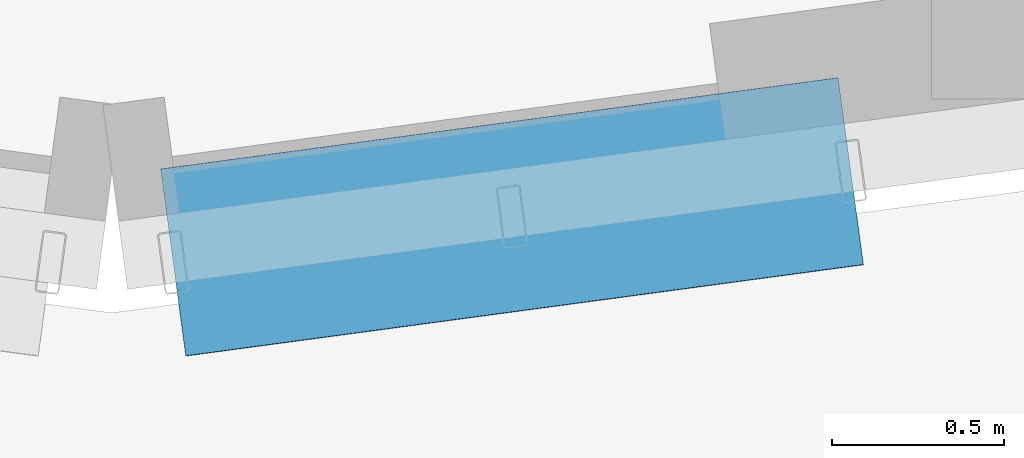
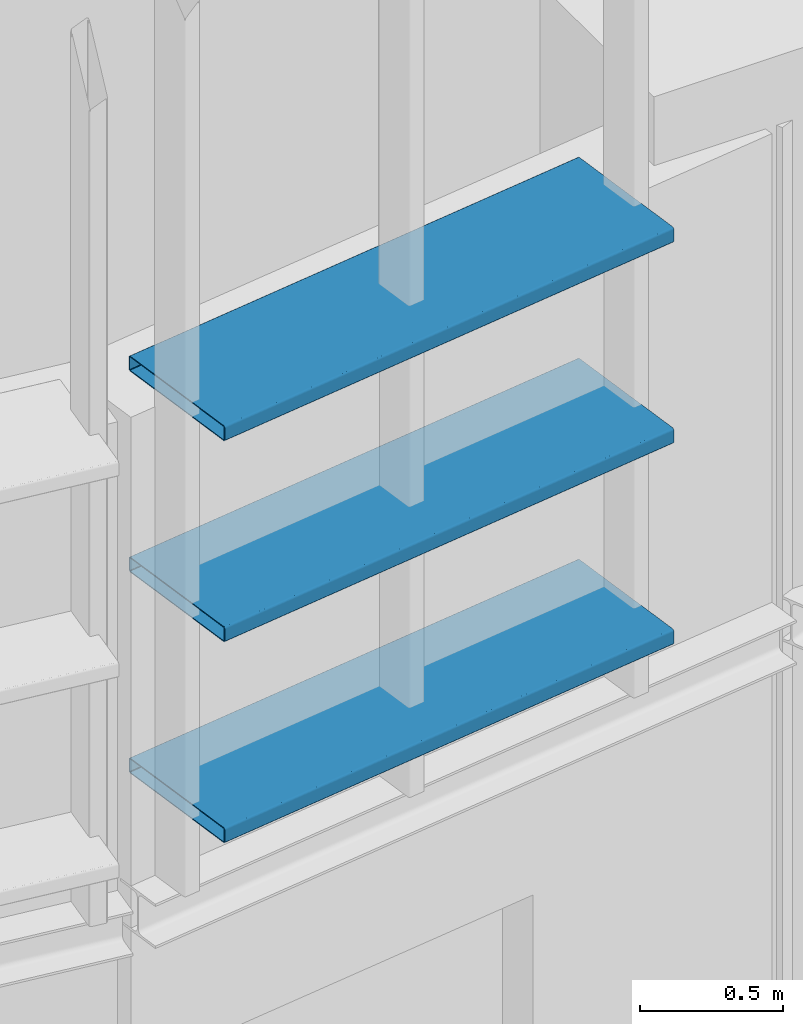
# One storey, part 39 of 372: 3 members.
"""IFC4 building model written with IfcOpenShell, lengths in metres."""

from ifc_helpers import new_model, si_unit, direction, frame, origin, origin_2d, place, context, subcontext, project, spatial, hollow_rectangle, extrude, material, material_profile, profile_set, type_object, element, save


model = new_model("IFC4")

# Units and contexts
model_context = context("Model", 3, precision=1e-05, world=origin(), true_north=direction((0.0, 1.0)))
body_context = subcontext(model_context, "Body", "Model", "MODEL_VIEW")
ifc_project = project(units=[si_unit("LENGTHUNIT", "METRE"), si_unit("AREAUNIT", "SQUARE_METRE"), si_unit("VOLUMEUNIT", "CUBIC_METRE"), si_unit("PLANEANGLEUNIT", "RADIAN"), si_unit("MASSUNIT", "GRAM", prefix="KILO")], contexts=[model_context])

# Site, building, storey
site_placement = place(None, origin())
site = spatial("IfcSite", under=ifc_project, at=site_placement, CompositionType="ELEMENT")
building_placement = place(site_placement, origin())
building = spatial("IfcBuilding", under=site, at=building_placement, Name="Kaelora Sail Theatre", CompositionType="ELEMENT")
storey_placement = place(building_placement, origin())
storey = spatial("IfcBuildingStorey", under=building, at=storey_placement, Name="L00", CompositionType="ELEMENT", Elevation=0.0)

# Members
ifc_material = material(Name="Anodised aluminium 6063-T6", Category="aluminium")
ifc_material_profile = material_profile(ifc_material, hollow_rectangle(XDim=0.550048828125, YDim=0.06494140625, WallThickness=0.00390625, InnerFilletRadius=0.00390625, OuterFilletRadius=0.008056640625, at=origin_2d()), Name="LOUVRE 550x65x4")
ifc_profile_set = profile_set([ifc_material_profile], Name="Anodised aluminium 6063-T6")
member_type = type_object("IfcMemberType", Name="ARC-MEM-LVR-300", PredefinedType="USERDEFINED", material=ifc_profile_set)
for number, where, z_axis, x_axis, name in (
    (1, (44.1484375, 23.82666015625, 3.449951171875), (-0.991052229698, -0.133474634331, 0.0), (0.133474634331, -0.991052229698, 0.0), "Main Theatre Sail Drum horizontal solar louvre C11-01"),
    (2, (44.1484375, 23.82666015625, 4.31005859375), (-0.991052229698, -0.133474634331, 0.0), (0.133474634331, -0.991052229698, 0.0), "Main Theatre Sail Drum horizontal solar louvre C11-02"),
    (3, (44.1484375, 23.82666015625, 5.169921875), (-0.991052229698, -0.133474634331, 0.0), (0.133474634331, -0.991052229698, 0.0), "Main Theatre Sail Drum horizontal solar louvre C11-03"),
):
    element("IfcMember", number, at=place(storey_placement, frame(where, z_axis=z_axis, x_axis=x_axis)), inside=storey, type_object=member_type, Name=name, ObjectType="LOUVRE", PredefinedType="USERDEFINED", context=body_context, shape_type="SweptSolid", body=[
        extrude(hollow_rectangle(XDim=0.550048828125, YDim=0.06494140625, WallThickness=0.00390625, InnerFilletRadius=0.00390625, OuterFilletRadius=0.008056640625, at=origin_2d()), origin(), (0.0, 0.0, 1.0), 1.98828125),
    ])

save(model, "model.ifc")
